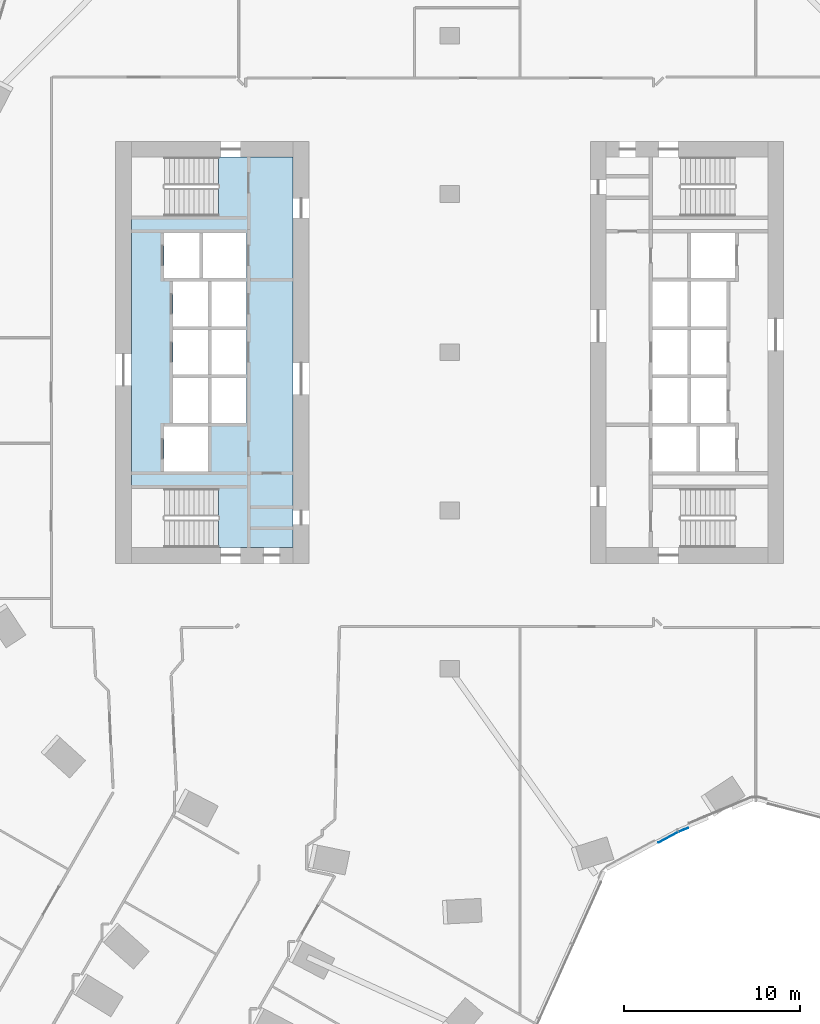
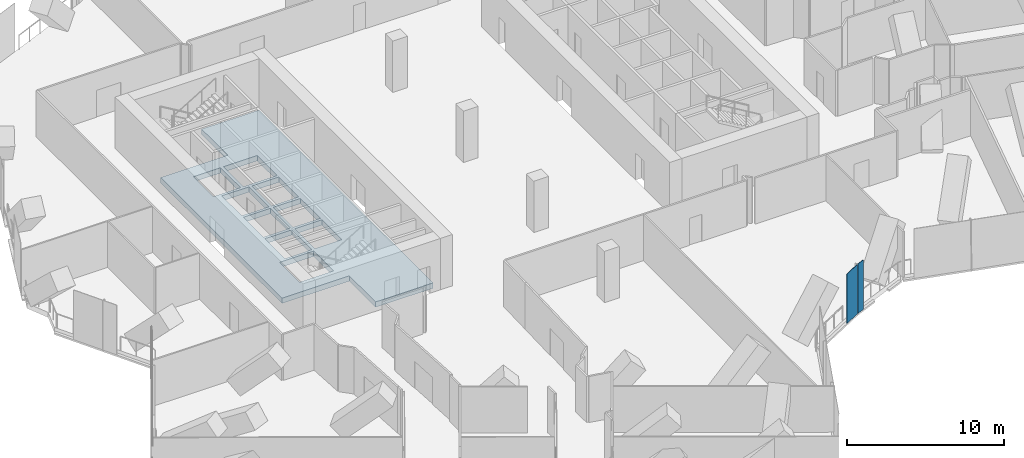
# One storey, part 20 of 37: 2 plates, 1 slab, 2 elements without a shape of their own.
"""IFC4 building model written with IfcOpenShell, lengths in metres."""

from ifc_helpers import new_model, si_unit, direction, frame, origin, origin_2d, place, context, subcontext, project, spatial, polyline, rectangle, outline, extrude, material, layer, layer_set, type_object, element, aggregate, save


model = new_model("IFC4")

# Units and contexts
model_context = context("Model", 3, precision=1e-05, world=origin(), true_north=direction((0.0, 1.0)))
body_context = subcontext(model_context, "Body", "Model", "MODEL_VIEW")
ifc_project = project(units=[si_unit("LENGTHUNIT", "METRE"), si_unit("AREAUNIT", "SQUARE_METRE"), si_unit("VOLUMEUNIT", "CUBIC_METRE"), si_unit("PLANEANGLEUNIT", "RADIAN"), si_unit("MASSUNIT", "GRAM", prefix="KILO")], contexts=[model_context])

# Site, building, storey
site_placement = place(None, origin())
site = spatial("IfcSite", under=ifc_project, at=site_placement, CompositionType="ELEMENT")
building_placement = place(site_placement, origin())
building = spatial("IfcBuilding", under=site, at=building_placement, Name="Orlundy Tower", CompositionType="ELEMENT")
storey_placement = place(building_placement, frame((0.0, 0.0, 119.699951171875)))
storey = spatial("IfcBuildingStorey", under=building, at=storey_placement, Name="L30", CompositionType="ELEMENT", Elevation=119.699951171875)

# Curtain wall, plate
ifc_material_1 = material(Name="Aluminium bronze anodised", Category="aluminium")
curtain_wall_type = type_object("IfcCurtainWallType", Name="CW5 wall", PredefinedType="NOTDEFINED", material=ifc_material_1)
curtain_wall_1_placement = place(storey_placement, origin())
curtain_wall_1 = element("IfcCurtainWall", 1, at=curtain_wall_1_placement, inside=storey, type_object=curtain_wall_type, Name="CW5 run 028", PredefinedType="NOTDEFINED")
ifc_material_2 = material(Name="Tinted glass", Category="glass")
ifc_layer_1 = layer(ifc_material_2, 0.031982421875)
ifc_layer_set_1 = layer_set([ifc_layer_1], Name="CW5 glass panel 32")
plate_type_1 = type_object("IfcPlateType", Name="CW5 glass panel 32", PredefinedType="CURTAIN_PANEL", material=ifc_layer_set_1)
plate_1_placement = place(storey_placement, frame((13.303466796875, -27.154541015625, -0.259765625), z_axis=(0.0, 0.0, 1.0), x_axis=(-0.922778272287, -0.385331364147, 0.0)))
plate_1 = element("IfcPlate", 2, at=plate_1_placement, type_object=plate_type_1, Name="CW5 panel", PredefinedType="CURTAIN_PANEL", context=body_context, shape_type="SweptSolid", body=[
    extrude(rectangle(XDim=0.58740234375, YDim=0.031982421875, at=origin_2d()), origin(), (0.0, 0.0, 1.0), 3.860107421875),
])
aggregate(curtain_wall_1, [plate_1])

curtain_wall_2_placement = place(storey_placement, origin())
curtain_wall_2 = element("IfcCurtainWall", 3, at=curtain_wall_2_placement, inside=storey, type_object=curtain_wall_type, Name="CW5 run 029", PredefinedType="NOTDEFINED")
ifc_material_3 = material(Name="Tinted glass", Category="glass")
ifc_layer_2 = layer(ifc_material_3, 0.031982421875)
ifc_layer_set_2 = layer_set([ifc_layer_2], Name="CW5 vent panel 32")
plate_type_2 = type_object("IfcPlateType", Name="CW5 vent panel 32", PredefinedType="CURTAIN_PANEL", material=ifc_layer_set_2)
plate_2_placement = place(storey_placement, frame((12.4345703125, -27.58740234375, -0.259765625), z_axis=(0.0, 0.0, 1.0), x_axis=(-0.880167169228, -0.474663832846, 0.0)))
plate_2 = element("IfcPlate", 4, at=plate_2_placement, type_object=plate_type_2, Name="CW5 panel", PredefinedType="CURTAIN_PANEL", context=body_context, shape_type="SweptSolid", body=[
    extrude(rectangle(XDim=1.256103515625, YDim=0.031982421875, at=origin_2d()), origin(), (0.0, 0.0, 1.0), 3.860107421875),
])
aggregate(curtain_wall_2, [plate_2])

# Slab
ifc_material_4 = material(Name="Concrete C50/60", Category="concrete")
ifc_layer_3 = layer(ifc_material_4, 0.409912109375)
ifc_layer_set_3 = layer_set([ifc_layer_3], Name="Core Floor Slab 410")
slab_type = type_object("IfcSlabType", Name="Core Floor Slab 410", PredefinedType="FLOOR", material=ifc_layer_set_3)
slab_placement = place(storey_placement, frame((0.0, 0.0, -0.409912109375)))
element("IfcSlab", 5, at=slab_placement, inside=storey, type_object=slab_type, Name="Core floor W23", PredefinedType="FLOOR", context=body_context, shape_type="SweptSolid", body=[
    extrude(outline(polyline([(-13.14501953125, 7.75), (-13.14501953125, 11.10009765625), (-8.89990234375, 11.10009765625), (-8.89990234375, -11.10009765625), (-13.14501953125, -11.10009765625), (-13.14501953125, -7.75), (-18.10009765625, -7.75), (-18.10009765625, 7.75), (-13.14501953125, 7.75)]), holes=[polyline([(-16.239990234375, -6.77490234375), (-13.739990234375, -6.77490234375), (-13.739990234375, -4.22509765625), (-16.239990234375, -4.22509765625), (-16.239990234375, -6.77490234375)]), polyline([(-13.5400390625, -1.47509765625), (-13.5400390625, -4.02490234375), (-11.5400390625, -4.02490234375), (-11.5400390625, -1.47509765625), (-13.5400390625, -1.47509765625)]), polyline([(-13.739990234375, -1.47509765625), (-15.739990234375, -1.47509765625), (-15.739990234375, -4.02490234375), (-13.739990234375, -4.02490234375), (-13.739990234375, -1.47509765625)]), polyline([(-11.5400390625, -1.27490234375), (-11.5400390625, 1.27490234375), (-13.5400390625, 1.27490234375), (-13.5400390625, -1.27490234375), (-11.5400390625, -1.27490234375)]), polyline([(-15.739990234375, -1.27490234375), (-13.739990234375, -1.27490234375), (-13.739990234375, 1.27490234375), (-15.739990234375, 1.27490234375), (-15.739990234375, -1.27490234375)]), polyline([(-13.5400390625, 4.02490234375), (-13.5400390625, 1.47509765625), (-11.5400390625, 1.47509765625), (-11.5400390625, 4.02490234375), (-13.5400390625, 4.02490234375)]), polyline([(-13.739990234375, 4.02490234375), (-15.739990234375, 4.02490234375), (-15.739990234375, 1.47509765625), (-13.739990234375, 1.47509765625), (-13.739990234375, 4.02490234375)]), polyline([(-11.5400390625, 4.22509765625), (-11.5400390625, 6.77490234375), (-14.0400390625, 6.77490234375), (-14.0400390625, 4.22509765625), (-11.5400390625, 4.22509765625)]), polyline([(-16.239990234375, 4.22509765625), (-14.239990234375, 4.22509765625), (-14.239990234375, 6.77490234375), (-16.239990234375, 6.77490234375), (-16.239990234375, 4.22509765625)])]), origin(), (0.0, 0.0, 1.0), 0.409912109375),
])

save(model, "model.ifc")
